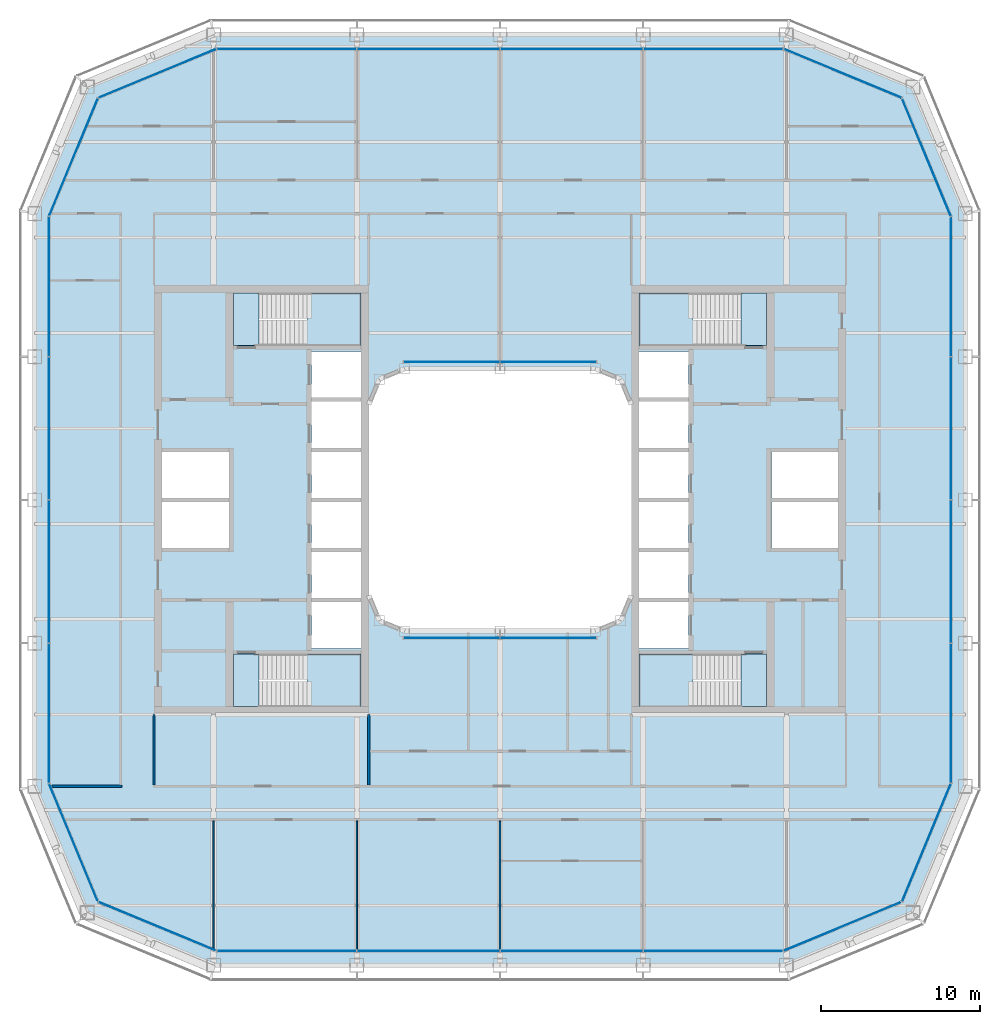
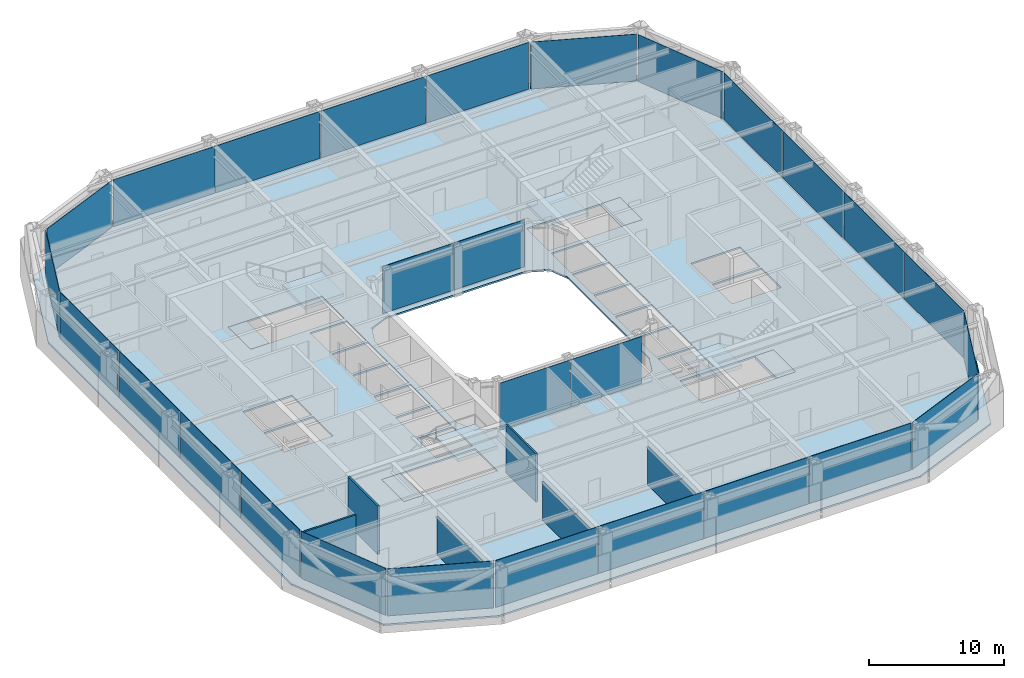
# One storey, part 10 of 21: 28 plates, 9 slabs, 6 walls, 18 elements without a shape of their own.
"""IFC4 building model written with IfcOpenShell, lengths in metres."""

from ifc_helpers import new_model, si_unit, direction, frame, frame_2d, origin, origin_2d, place, context, subcontext, project, spatial, polyline, rectangle, outline, extrude, material, layer, layer_set, type_object, element, aggregate, save


model = new_model("IFC4")

# Units and contexts
model_context = context("Model", 3, precision=1e-05, world=origin(), true_north=direction((0.0, 1.0)))
body_context = subcontext(model_context, "Body", "Model", "MODEL_VIEW")
ifc_project = project(units=[si_unit("LENGTHUNIT", "METRE"), si_unit("AREAUNIT", "SQUARE_METRE"), si_unit("VOLUMEUNIT", "CUBIC_METRE"), si_unit("PLANEANGLEUNIT", "RADIAN"), si_unit("MASSUNIT", "GRAM", prefix="KILO")], contexts=[model_context])

# Site, building, storey
site_placement = place(None, origin())
site = spatial("IfcSite", under=ifc_project, at=site_placement, CompositionType="ELEMENT")
building_placement = place(site_placement, origin())
building = spatial("IfcBuilding", under=site, at=building_placement, Name="Siwar Civic Tower", CompositionType="ELEMENT")
storey_placement = place(building_placement, frame((0.0, 0.0, 158.699951171875)))
storey = spatial("IfcBuildingStorey", under=building, at=storey_placement, Name="L34", CompositionType="ELEMENT", Elevation=158.699951171875)

# Stair, slabs
ifc_material_1 = material(Name="Concrete C40/50", Category="concrete")
stair_type = type_object("IfcStairType", Name="CORE-STAIR", PredefinedType="TWO_STRAIGHT_RUN_STAIR", material=ifc_material_1)
stair_1_placement = place(storey_placement, origin())
stair_1 = element("IfcStair", 1, at=stair_1_placement, inside=storey, type_object=stair_type, Name="Exit stair ST1", PredefinedType="TWO_STRAIGHT_RUN_STAIR")
ifc_material_2 = material(Name="Concrete C40/50", Category="concrete")
ifc_layer_1 = layer(ifc_material_2, 0.300048828125)
ifc_layer_set_1 = layer_set([ifc_layer_1], Name="Concrete C40/50")
slab_type_1 = type_object("IfcSlabType", Name="CORE-STAIR-LANDING", PredefinedType="LANDING", material=ifc_layer_set_1)
slab_1_placement = place(storey_placement, frame((0.0, 0.0, -0.300048828125)))
slab_1 = element("IfcSlab", 2, at=slab_1_placement, type_object=slab_type_1, Name="ST1 landing 1", PredefinedType="LANDING", context=body_context, shape_type="SweptSolid", body=[
    extrude(outline(polyline([(-15.14990234375, 13.0), (-16.75, 13.0), (-16.75, 9.699951171875), (-15.14990234375, 9.699951171875), (-15.14990234375, 13.0)])), origin(), (0.0, 0.0, 1.0), 0.300048828125),
])
slab_2_placement = place(storey_placement, frame((0.0, 0.0, 1.949951171875)))
slab_2 = element("IfcSlab", 3, at=slab_2_placement, type_object=slab_type_1, Name="ST1 landing 2", PredefinedType="LANDING", context=body_context, shape_type="SweptSolid", body=[
    extrude(outline(polyline([(-8.75, 13.0), (-12.139892578125, 13.0), (-12.139892578125, 9.699951171875), (-8.75, 9.699951171875), (-8.75, 13.0)])), origin(), (0.0, 0.0, 1.0), 0.300048828125),
])
aggregate(stair_1, [slab_1, slab_2])

stair_2_placement = place(storey_placement, origin())
stair_2 = element("IfcStair", 4, at=stair_2_placement, inside=storey, type_object=stair_type, Name="Exit stair ST2", PredefinedType="TWO_STRAIGHT_RUN_STAIR")
slab_3_placement = place(storey_placement, frame((0.0, 0.0, -0.300048828125)))
slab_3 = element("IfcSlab", 5, at=slab_3_placement, type_object=slab_type_1, Name="ST2 landing 1", PredefinedType="LANDING", context=body_context, shape_type="SweptSolid", body=[
    extrude(outline(polyline([(-15.14990234375, -9.699951171875), (-16.75, -9.699951171875), (-16.75, -13.0), (-15.14990234375, -13.0), (-15.14990234375, -9.699951171875)])), origin(), (0.0, 0.0, 1.0), 0.300048828125),
])
slab_4_placement = place(storey_placement, frame((0.0, 0.0, 1.949951171875)))
slab_4 = element("IfcSlab", 6, at=slab_4_placement, type_object=slab_type_1, Name="ST2 landing 2", PredefinedType="LANDING", context=body_context, shape_type="SweptSolid", body=[
    extrude(outline(polyline([(-8.75, -9.699951171875), (-12.139892578125, -9.699951171875), (-12.139892578125, -13.0), (-8.75, -13.0), (-8.75, -9.699951171875)])), origin(), (0.0, 0.0, 1.0), 0.300048828125),
])
aggregate(stair_2, [slab_3, slab_4])

stair_3_placement = place(storey_placement, origin())
stair_3 = element("IfcStair", 7, at=stair_3_placement, inside=storey, type_object=stair_type, Name="Exit stair ST3", PredefinedType="TWO_STRAIGHT_RUN_STAIR")
slab_5_placement = place(storey_placement, frame((0.0, 0.0, -0.300048828125)))
slab_5 = element("IfcSlab", 8, at=slab_5_placement, type_object=slab_type_1, Name="ST3 landing 1", PredefinedType="LANDING", context=body_context, shape_type="SweptSolid", body=[
    extrude(outline(polyline([(15.14990234375, 9.699951171875), (16.75, 9.699951171875), (16.75, 13.0), (15.14990234375, 13.0), (15.14990234375, 9.699951171875)])), origin(), (0.0, 0.0, 1.0), 0.300048828125),
])
slab_6_placement = place(storey_placement, frame((0.0, 0.0, 1.949951171875)))
slab_6 = element("IfcSlab", 9, at=slab_6_placement, type_object=slab_type_1, Name="ST3 landing 2", PredefinedType="LANDING", context=body_context, shape_type="SweptSolid", body=[
    extrude(outline(polyline([(8.75, 9.699951171875), (12.139892578125, 9.699951171875), (12.139892578125, 13.0), (8.75, 13.0), (8.75, 9.699951171875)])), origin(), (0.0, 0.0, 1.0), 0.300048828125),
])
aggregate(stair_3, [slab_5, slab_6])

stair_4_placement = place(storey_placement, origin())
stair_4 = element("IfcStair", 10, at=stair_4_placement, inside=storey, type_object=stair_type, Name="Exit stair ST4", PredefinedType="TWO_STRAIGHT_RUN_STAIR")
slab_7_placement = place(storey_placement, frame((0.0, 0.0, -0.300048828125)))
slab_7 = element("IfcSlab", 11, at=slab_7_placement, type_object=slab_type_1, Name="ST4 landing 1", PredefinedType="LANDING", context=body_context, shape_type="SweptSolid", body=[
    extrude(outline(polyline([(15.14990234375, -13.0), (16.75, -13.0), (16.75, -9.699951171875), (15.14990234375, -9.699951171875), (15.14990234375, -13.0)])), origin(), (0.0, 0.0, 1.0), 0.300048828125),
])
slab_8_placement = place(storey_placement, frame((0.0, 0.0, 1.949951171875)))
slab_8 = element("IfcSlab", 12, at=slab_8_placement, type_object=slab_type_1, Name="ST4 landing 2", PredefinedType="LANDING", context=body_context, shape_type="SweptSolid", body=[
    extrude(outline(polyline([(8.75, -13.0), (12.139892578125, -13.0), (12.139892578125, -9.699951171875), (8.75, -9.699951171875), (8.75, -13.0)])), origin(), (0.0, 0.0, 1.0), 0.300048828125),
])
aggregate(stair_4, [slab_7, slab_8])

# Curtain wall, plates
ifc_material_3 = material(Name="Aluminium and glass", Category="aluminium")
ifc_layer_2 = layer(ifc_material_3, 0.199951171875)
ifc_layer_set_2 = layer_set([ifc_layer_2], Name="Aluminium and glass")
curtain_wall_type_1 = type_object("IfcCurtainWallType", Name="ENV-CW-B", PredefinedType="NOTDEFINED", material=ifc_layer_set_2)
curtain_wall_1_placement = place(storey_placement, origin())
curtain_wall_1 = element("IfcCurtainWall", 13, at=curtain_wall_1_placement, inside=storey, type_object=curtain_wall_type_1, Name="Curtain wall B S", PredefinedType="NOTDEFINED")
ifc_material_4 = material(Name="Glass clear laminated", Category="glass")
ifc_layer_3 = layer(ifc_material_4, 0.033935546875)
ifc_layer_set_3 = layer_set([ifc_layer_3], Name="Glass clear laminated")
plate_type_1 = type_object("IfcPlateType", Name="ENV-PANEL-B", PredefinedType="CURTAIN_PANEL", material=ifc_layer_set_3)
plate_1_placement = place(storey_placement, frame((-13.410400390625, -28.35009765625, 0.10986328125), z_axis=(0.0, 0.0, 1.0), x_axis=(1.0, 0.0, 0.0)))
plate_1 = element("IfcPlate", 14, at=plate_1_placement, type_object=plate_type_1, Name="Curtain panel B S 1", PredefinedType="CURTAIN_PANEL", context=body_context, shape_type="SweptSolid", body=[
    extrude(rectangle(XDim=8.755859375, YDim=0.033935546875, at=origin_2d()), origin(), (0.0, 0.0, 1.0), 4.239990234375),
])
plate_2_placement = place(storey_placement, frame((-4.5, -28.35009765625, 0.10986328125), z_axis=(0.0, 0.0, 1.0), x_axis=(1.0, 0.0, 0.0)))
plate_2 = element("IfcPlate", 15, at=plate_2_placement, type_object=plate_type_1, Name="Curtain panel B S 2", PredefinedType="CURTAIN_PANEL", context=body_context, shape_type="SweptSolid", body=[
    extrude(rectangle(XDim=8.93505859375, YDim=0.033935546875, at=origin_2d()), origin(), (0.0, 0.0, 1.0), 4.239990234375),
])
plate_3_placement = place(storey_placement, frame((4.5, -28.35009765625, 0.10986328125), z_axis=(0.0, 0.0, 1.0), x_axis=(1.0, 0.0, 0.0)))
plate_3 = element("IfcPlate", 16, at=plate_3_placement, type_object=plate_type_1, Name="Curtain panel B S 3", PredefinedType="CURTAIN_PANEL", context=body_context, shape_type="SweptSolid", body=[
    extrude(rectangle(XDim=8.93505859375, YDim=0.033935546875, at=origin_2d()), origin(), (0.0, 0.0, 1.0), 4.239990234375),
])
plate_4_placement = place(storey_placement, frame((13.369873046875, -28.35009765625, 0.10986328125), z_axis=(0.0, 0.0, 1.0), x_axis=(1.0, 0.0, 0.0)))
plate_4 = element("IfcPlate", 17, at=plate_4_placement, type_object=plate_type_1, Name="Curtain panel B S 4", PredefinedType="CURTAIN_PANEL", context=body_context, shape_type="SweptSolid", body=[
    extrude(rectangle(XDim=8.6748046875, YDim=0.033935546875, at=origin_2d()), origin(), (0.0, 0.0, 1.0), 4.239990234375),
])
aggregate(curtain_wall_1, [plate_1, plate_2, plate_3, plate_4])

curtain_wall_2_placement = place(storey_placement, origin())
curtain_wall_2 = element("IfcCurtainWall", 18, at=curtain_wall_2_placement, inside=storey, type_object=curtain_wall_type_1, Name="Curtain wall B E", PredefinedType="NOTDEFINED")
plate_5_placement = place(storey_placement, frame((28.35009765625, -13.410400390625, 0.10986328125), z_axis=(0.0, 0.0, 1.0), x_axis=(0.0, 1.0, 0.0)))
plate_5 = element("IfcPlate", 19, at=plate_5_placement, type_object=plate_type_1, Name="Curtain panel B E 1", PredefinedType="CURTAIN_PANEL", context=body_context, shape_type="SweptSolid", body=[
    extrude(rectangle(XDim=8.755859375, YDim=0.033935546875, at=origin_2d()), origin(), (0.0, 0.0, 1.0), 4.239990234375),
])
plate_6_placement = place(storey_placement, frame((28.35009765625, -4.5, 0.10986328125), z_axis=(0.0, 0.0, 1.0), x_axis=(0.0, 1.0, 0.0)))
plate_6 = element("IfcPlate", 20, at=plate_6_placement, type_object=plate_type_1, Name="Curtain panel B E 2", PredefinedType="CURTAIN_PANEL", context=body_context, shape_type="SweptSolid", body=[
    extrude(rectangle(XDim=8.93505859375, YDim=0.033935546875, at=origin_2d()), origin(), (0.0, 0.0, 1.0), 4.239990234375),
])
plate_7_placement = place(storey_placement, frame((28.35009765625, 4.5, 0.10986328125), z_axis=(0.0, 0.0, 1.0), x_axis=(0.0, 1.0, 0.0)))
plate_7 = element("IfcPlate", 21, at=plate_7_placement, type_object=plate_type_1, Name="Curtain panel B E 3", PredefinedType="CURTAIN_PANEL", context=body_context, shape_type="SweptSolid", body=[
    extrude(rectangle(XDim=8.93505859375, YDim=0.033935546875, at=origin_2d()), origin(), (0.0, 0.0, 1.0), 4.239990234375),
])
plate_8_placement = place(storey_placement, frame((28.35009765625, 13.369873046875, 0.10986328125), z_axis=(0.0, 0.0, 1.0), x_axis=(0.0, 1.0, 0.0)))
plate_8 = element("IfcPlate", 22, at=plate_8_placement, type_object=plate_type_1, Name="Curtain panel B E 4", PredefinedType="CURTAIN_PANEL", context=body_context, shape_type="SweptSolid", body=[
    extrude(rectangle(XDim=8.6748046875, YDim=0.033935546875, at=origin_2d()), origin(), (0.0, 0.0, 1.0), 4.239990234375),
])
aggregate(curtain_wall_2, [plate_5, plate_6, plate_7, plate_8])

curtain_wall_3_placement = place(storey_placement, origin())
curtain_wall_3 = element("IfcCurtainWall", 23, at=curtain_wall_3_placement, inside=storey, type_object=curtain_wall_type_1, Name="Curtain wall B N", PredefinedType="NOTDEFINED")
plate_9_placement = place(storey_placement, frame((13.410400390625, 28.35009765625, 0.10986328125), z_axis=(0.0, 0.0, 1.0), x_axis=(-1.0, 0.0, 0.0)))
plate_9 = element("IfcPlate", 24, at=plate_9_placement, type_object=plate_type_1, Name="Curtain panel B N 1", PredefinedType="CURTAIN_PANEL", context=body_context, shape_type="SweptSolid", body=[
    extrude(rectangle(XDim=8.755859375, YDim=0.033935546875, at=origin_2d()), origin(), (0.0, 0.0, 1.0), 4.239990234375),
])
plate_10_placement = place(storey_placement, frame((4.5, 28.35009765625, 0.10986328125), z_axis=(0.0, 0.0, 1.0), x_axis=(-1.0, 0.0, 0.0)))
plate_10 = element("IfcPlate", 25, at=plate_10_placement, type_object=plate_type_1, Name="Curtain panel B N 2", PredefinedType="CURTAIN_PANEL", context=body_context, shape_type="SweptSolid", body=[
    extrude(rectangle(XDim=8.93505859375, YDim=0.033935546875, at=origin_2d()), origin(), (0.0, 0.0, 1.0), 4.239990234375),
])
plate_11_placement = place(storey_placement, frame((-4.5, 28.35009765625, 0.10986328125), z_axis=(0.0, 0.0, 1.0), x_axis=(-1.0, 0.0, 0.0)))
plate_11 = element("IfcPlate", 26, at=plate_11_placement, type_object=plate_type_1, Name="Curtain panel B N 3", PredefinedType="CURTAIN_PANEL", context=body_context, shape_type="SweptSolid", body=[
    extrude(rectangle(XDim=8.93505859375, YDim=0.033935546875, at=origin_2d()), origin(), (0.0, 0.0, 1.0), 4.239990234375),
])
plate_12_placement = place(storey_placement, frame((-13.369873046875, 28.35009765625, 0.10986328125), z_axis=(0.0, 0.0, 1.0), x_axis=(-1.0, 0.0, 0.0)))
plate_12 = element("IfcPlate", 27, at=plate_12_placement, type_object=plate_type_1, Name="Curtain panel B N 4", PredefinedType="CURTAIN_PANEL", context=body_context, shape_type="SweptSolid", body=[
    extrude(rectangle(XDim=8.6748046875, YDim=0.033935546875, at=origin_2d()), origin(), (0.0, 0.0, 1.0), 4.239990234375),
])
aggregate(curtain_wall_3, [plate_9, plate_10, plate_11, plate_12])

curtain_wall_4_placement = place(storey_placement, origin())
curtain_wall_4 = element("IfcCurtainWall", 28, at=curtain_wall_4_placement, inside=storey, type_object=curtain_wall_type_1, Name="Curtain wall B W", PredefinedType="NOTDEFINED")
plate_13_placement = place(storey_placement, frame((-28.35009765625, 13.410400390625, 0.10986328125), z_axis=(0.0, 0.0, 1.0), x_axis=(0.0, -1.0, 0.0)))
plate_13 = element("IfcPlate", 29, at=plate_13_placement, type_object=plate_type_1, Name="Curtain panel B W 1", PredefinedType="CURTAIN_PANEL", context=body_context, shape_type="SweptSolid", body=[
    extrude(rectangle(XDim=8.755859375, YDim=0.033935546875, at=origin_2d()), origin(), (0.0, 0.0, 1.0), 4.239990234375),
])
plate_14_placement = place(storey_placement, frame((-28.35009765625, 4.5, 0.10986328125), z_axis=(0.0, 0.0, 1.0), x_axis=(0.0, -1.0, 0.0)))
plate_14 = element("IfcPlate", 30, at=plate_14_placement, type_object=plate_type_1, Name="Curtain panel B W 2", PredefinedType="CURTAIN_PANEL", context=body_context, shape_type="SweptSolid", body=[
    extrude(rectangle(XDim=8.93505859375, YDim=0.033935546875, at=origin_2d()), origin(), (0.0, 0.0, 1.0), 4.239990234375),
])
plate_15_placement = place(storey_placement, frame((-28.35009765625, -4.5, 0.10986328125), z_axis=(0.0, 0.0, 1.0), x_axis=(0.0, -1.0, 0.0)))
plate_15 = element("IfcPlate", 31, at=plate_15_placement, type_object=plate_type_1, Name="Curtain panel B W 3", PredefinedType="CURTAIN_PANEL", context=body_context, shape_type="SweptSolid", body=[
    extrude(rectangle(XDim=8.93505859375, YDim=0.033935546875, at=origin_2d()), origin(), (0.0, 0.0, 1.0), 4.239990234375),
])
plate_16_placement = place(storey_placement, frame((-28.35009765625, -13.369873046875, 0.10986328125), z_axis=(0.0, 0.0, 1.0), x_axis=(0.0, -1.0, 0.0)))
plate_16 = element("IfcPlate", 32, at=plate_16_placement, type_object=plate_type_1, Name="Curtain panel B W 4", PredefinedType="CURTAIN_PANEL", context=body_context, shape_type="SweptSolid", body=[
    extrude(rectangle(XDim=8.6748046875, YDim=0.033935546875, at=origin_2d()), origin(), (0.0, 0.0, 1.0), 4.239990234375),
])
aggregate(curtain_wall_4, [plate_13, plate_14, plate_15, plate_16])

# Curtain wall, plate
ifc_material_5 = material(Name="Aluminium clad insulated panel", Category="aluminium")
ifc_layer_4 = layer(ifc_material_5, 0.199951171875)
ifc_layer_set_4 = layer_set([ifc_layer_4], Name="Aluminium clad insulated panel")
curtain_wall_type_2 = type_object("IfcCurtainWallType", Name="ENV-CW-BX", PredefinedType="NOTDEFINED", material=ifc_layer_set_4)
curtain_wall_5_placement = place(storey_placement, origin())
curtain_wall_5 = element("IfcCurtainWall", 33, at=curtain_wall_5_placement, inside=storey, type_object=curtain_wall_type_2, Name="Curtain wall B SE1", PredefinedType="NOTDEFINED")
ifc_material_6 = material(Name="Aluminium clad insulated panel", Category="aluminium")
ifc_layer_5 = layer(ifc_material_6, 0.033935546875)
ifc_layer_set_5 = layer_set([ifc_layer_5], Name="Aluminium clad insulated panel")
plate_type_2 = type_object("IfcPlateType", Name="ENV-PANEL-BX", PredefinedType="CURTAIN_PANEL", material=ifc_layer_set_5)
plate_17_placement = place(storey_placement, frame((21.506103515625, -26.823486328125, 0.10986328125), z_axis=(0.0, 0.0, 1.0), x_axis=(0.923879532511, 0.382683432365, 0.0)))
plate_17 = element("IfcPlate", 34, at=plate_17_placement, type_object=plate_type_2, Name="Curtain panel B SE1 1", PredefinedType="CURTAIN_PANEL", context=body_context, shape_type="SweptSolid", body=[
    extrude(rectangle(XDim=7.912353515625, YDim=0.033935546875, at=origin_2d()), origin(), (0.0, 0.0, 1.0), 4.239990234375),
])
aggregate(curtain_wall_5, [plate_17])

curtain_wall_6_placement = place(storey_placement, origin())
curtain_wall_6 = element("IfcCurtainWall", 35, at=curtain_wall_6_placement, inside=storey, type_object=curtain_wall_type_2, Name="Curtain wall B SE2", PredefinedType="NOTDEFINED")
plate_18_placement = place(storey_placement, frame((26.79248046875, -21.5810546875, 0.10986328125), z_axis=(0.0, 0.0, 1.0), x_axis=(0.382683432365, 0.923879532511, 0.0)))
plate_18 = element("IfcPlate", 36, at=plate_18_placement, type_object=plate_type_2, Name="Curtain panel B SE2 1", PredefinedType="CURTAIN_PANEL", context=body_context, shape_type="SweptSolid", body=[
    extrude(rectangle(XDim=7.912353515625, YDim=0.033935546875, at=origin_2d()), origin(), (0.0, 0.0, 1.0), 4.239990234375),
])
aggregate(curtain_wall_6, [plate_18])

curtain_wall_7_placement = place(storey_placement, origin())
curtain_wall_7 = element("IfcCurtainWall", 37, at=curtain_wall_7_placement, inside=storey, type_object=curtain_wall_type_2, Name="Curtain wall B NE1", PredefinedType="NOTDEFINED")
plate_19_placement = place(storey_placement, frame((26.823486328125, 21.506103515625, 0.10986328125), z_axis=(0.0, 0.0, 1.0), x_axis=(-0.382683432365, 0.923879532511, 0.0)))
plate_19 = element("IfcPlate", 38, at=plate_19_placement, type_object=plate_type_2, Name="Curtain panel B NE1 1", PredefinedType="CURTAIN_PANEL", context=body_context, shape_type="SweptSolid", body=[
    extrude(rectangle(XDim=7.912353515625, YDim=0.033935546875, at=origin_2d()), origin(), (0.0, 0.0, 1.0), 4.239990234375),
])
aggregate(curtain_wall_7, [plate_19])

curtain_wall_8_placement = place(storey_placement, origin())
curtain_wall_8 = element("IfcCurtainWall", 39, at=curtain_wall_8_placement, inside=storey, type_object=curtain_wall_type_2, Name="Curtain wall B NE2", PredefinedType="NOTDEFINED")
plate_20_placement = place(storey_placement, frame((21.5810546875, 26.79248046875, 0.10986328125), z_axis=(0.0, 0.0, 1.0), x_axis=(-0.923879532511, 0.382683432365, 0.0)))
plate_20 = element("IfcPlate", 40, at=plate_20_placement, type_object=plate_type_2, Name="Curtain panel B NE2 1", PredefinedType="CURTAIN_PANEL", context=body_context, shape_type="SweptSolid", body=[
    extrude(rectangle(XDim=7.912353515625, YDim=0.033935546875, at=origin_2d()), origin(), (0.0, 0.0, 1.0), 4.239990234375),
])
aggregate(curtain_wall_8, [plate_20])

curtain_wall_9_placement = place(storey_placement, origin())
curtain_wall_9 = element("IfcCurtainWall", 41, at=curtain_wall_9_placement, inside=storey, type_object=curtain_wall_type_2, Name="Curtain wall B NW1", PredefinedType="NOTDEFINED")
plate_21_placement = place(storey_placement, frame((-21.506103515625, 26.823486328125, 0.10986328125), z_axis=(0.0, 0.0, 1.0), x_axis=(-0.923879532511, -0.382683432365, 0.0)))
plate_21 = element("IfcPlate", 42, at=plate_21_placement, type_object=plate_type_2, Name="Curtain panel B NW1 1", PredefinedType="CURTAIN_PANEL", context=body_context, shape_type="SweptSolid", body=[
    extrude(rectangle(XDim=7.912353515625, YDim=0.033935546875, at=origin_2d()), origin(), (0.0, 0.0, 1.0), 4.239990234375),
])
aggregate(curtain_wall_9, [plate_21])

curtain_wall_10_placement = place(storey_placement, origin())
curtain_wall_10 = element("IfcCurtainWall", 43, at=curtain_wall_10_placement, inside=storey, type_object=curtain_wall_type_2, Name="Curtain wall B NW2", PredefinedType="NOTDEFINED")
plate_22_placement = place(storey_placement, frame((-26.79248046875, 21.5810546875, 0.10986328125), z_axis=(0.0, 0.0, 1.0), x_axis=(-0.382683432365, -0.923879532511, 0.0)))
plate_22 = element("IfcPlate", 44, at=plate_22_placement, type_object=plate_type_2, Name="Curtain panel B NW2 1", PredefinedType="CURTAIN_PANEL", context=body_context, shape_type="SweptSolid", body=[
    extrude(rectangle(XDim=7.912353515625, YDim=0.033935546875, at=origin_2d()), origin(), (0.0, 0.0, 1.0), 4.239990234375),
])
aggregate(curtain_wall_10, [plate_22])

curtain_wall_11_placement = place(storey_placement, origin())
curtain_wall_11 = element("IfcCurtainWall", 45, at=curtain_wall_11_placement, inside=storey, type_object=curtain_wall_type_2, Name="Curtain wall B SW1", PredefinedType="NOTDEFINED")
plate_23_placement = place(storey_placement, frame((-26.823486328125, -21.506103515625, 0.10986328125), z_axis=(0.0, 0.0, 1.0), x_axis=(0.382683432365, -0.923879532511, 0.0)))
plate_23 = element("IfcPlate", 46, at=plate_23_placement, type_object=plate_type_2, Name="Curtain panel B SW1 1", PredefinedType="CURTAIN_PANEL", context=body_context, shape_type="SweptSolid", body=[
    extrude(rectangle(XDim=7.912353515625, YDim=0.033935546875, at=origin_2d()), origin(), (0.0, 0.0, 1.0), 4.239990234375),
])
aggregate(curtain_wall_11, [plate_23])

curtain_wall_12_placement = place(storey_placement, origin())
curtain_wall_12 = element("IfcCurtainWall", 47, at=curtain_wall_12_placement, inside=storey, type_object=curtain_wall_type_2, Name="Curtain wall B SW2", PredefinedType="NOTDEFINED")
plate_24_placement = place(storey_placement, frame((-21.5810546875, -26.79248046875, 0.10986328125), z_axis=(0.0, 0.0, 1.0), x_axis=(0.923879532511, -0.382683432365, 0.0)))
plate_24 = element("IfcPlate", 48, at=plate_24_placement, type_object=plate_type_2, Name="Curtain panel B SW2 1", PredefinedType="CURTAIN_PANEL", context=body_context, shape_type="SweptSolid", body=[
    extrude(rectangle(XDim=7.912353515625, YDim=0.033935546875, at=origin_2d()), origin(), (0.0, 0.0, 1.0), 4.239990234375),
])
aggregate(curtain_wall_12, [plate_24])

# Curtain wall, plates
ifc_material_7 = material(Name="Aluminium and glass", Category="aluminium")
ifc_layer_6 = layer(ifc_material_7, 0.179931640625)
ifc_layer_set_6 = layer_set([ifc_layer_6], Name="Aluminium and glass")
curtain_wall_type_3 = type_object("IfcCurtainWallType", Name="ENV-CW-W", PredefinedType="NOTDEFINED", material=ifc_layer_set_6)
curtain_wall_13_placement = place(storey_placement, origin())
curtain_wall_13 = element("IfcCurtainWall", 49, at=curtain_wall_13_placement, inside=storey, type_object=curtain_wall_type_3, Name="Curtain wall W WS", PredefinedType="NOTDEFINED")
ifc_material_8 = material(Name="Glass clear laminated", Category="glass")
ifc_layer_7 = layer(ifc_material_8, 0.031982421875)
ifc_layer_set_7 = layer_set([ifc_layer_7], Name="Glass clear laminated")
plate_type_3 = type_object("IfcPlateType", Name="ENV-PANEL-W", PredefinedType="CURTAIN_PANEL", material=ifc_layer_set_7)
plate_25_placement = place(storey_placement, frame((-3.043212890625, -8.68505859375, 0.10009765625), z_axis=(0.0, 0.0, 1.0), x_axis=(1.0, 0.0, 0.0)))
plate_25 = element("IfcPlate", 50, at=plate_25_placement, type_object=plate_type_3, Name="Curtain panel W WS 1", PredefinedType="CURTAIN_PANEL", context=body_context, shape_type="SweptSolid", body=[
    extrude(rectangle(XDim=6.026611328125, YDim=0.031982421875, at=origin_2d()), origin(), (0.0, 0.0, 1.0), 4.25),
])
plate_26_placement = place(storey_placement, frame((3.043212890625, -8.68505859375, 0.10009765625), z_axis=(0.0, 0.0, 1.0), x_axis=(1.0, 0.0, 0.0)))
plate_26 = element("IfcPlate", 51, at=plate_26_placement, type_object=plate_type_3, Name="Curtain panel W WS 2", PredefinedType="CURTAIN_PANEL", context=body_context, shape_type="SweptSolid", body=[
    extrude(rectangle(XDim=6.026611328125, YDim=0.031982421875, at=origin_2d()), origin(), (0.0, 0.0, 1.0), 4.25),
])
aggregate(curtain_wall_13, [plate_25, plate_26])

curtain_wall_14_placement = place(storey_placement, origin())
curtain_wall_14 = element("IfcCurtainWall", 52, at=curtain_wall_14_placement, inside=storey, type_object=curtain_wall_type_3, Name="Curtain wall W WN", PredefinedType="NOTDEFINED")
plate_27_placement = place(storey_placement, frame((3.043212890625, 8.68505859375, 0.10009765625), z_axis=(0.0, 0.0, 1.0), x_axis=(-1.0, 0.0, 0.0)))
plate_27 = element("IfcPlate", 53, at=plate_27_placement, type_object=plate_type_3, Name="Curtain panel W WN 1", PredefinedType="CURTAIN_PANEL", context=body_context, shape_type="SweptSolid", body=[
    extrude(rectangle(XDim=6.026611328125, YDim=0.031982421875, at=origin_2d()), origin(), (0.0, 0.0, 1.0), 4.25),
])
plate_28_placement = place(storey_placement, frame((-3.043212890625, 8.68505859375, 0.10009765625), z_axis=(0.0, 0.0, 1.0), x_axis=(-1.0, 0.0, 0.0)))
plate_28 = element("IfcPlate", 54, at=plate_28_placement, type_object=plate_type_3, Name="Curtain panel W WN 2", PredefinedType="CURTAIN_PANEL", context=body_context, shape_type="SweptSolid", body=[
    extrude(rectangle(XDim=6.026611328125, YDim=0.031982421875, at=origin_2d()), origin(), (0.0, 0.0, 1.0), 4.25),
])
aggregate(curtain_wall_14, [plate_27, plate_28])

# Slab
ifc_material_9 = material(Name="Concrete C40/50", Category="concrete")
ifc_layer_8 = layer(ifc_material_9, 0.14990234375)
ifc_layer_set_8 = layer_set([ifc_layer_8], Name="Concrete C40/50")
slab_type_2 = type_object("IfcSlabType", Name="STR-FLOOR-DECK-150", PredefinedType="FLOOR", material=ifc_layer_set_8)
slab_9_placement = place(storey_placement, frame((0.0, 0.0, -0.14990234375)))
element("IfcSlab", 55, at=slab_9_placement, inside=storey, type_object=slab_type_2, Name="L34/slab/1", PredefinedType="FLOOR", context=body_context, shape_type="SweptSolid", body=[
    extrude(outline(polyline([(-18.0, -29.25), (18.0, -29.25), (25.954833984375, -25.954833984375), (29.25, -18.0), (29.25, 18.0), (25.954833984375, 25.954833984375), (18.0, 29.25), (-18.0, 29.25), (-25.954833984375, 25.954833984375), (-29.25, 18.0), (-29.25, -18.0), (-25.954833984375, -25.954833984375), (-18.0, -29.25)]), holes=[polyline([(21.25, 3.02490234375), (21.25, 0.125), (17.050048828125, 0.125), (17.050048828125, 3.02490234375), (21.25, 3.02490234375)]), polyline([(17.050048828125, -0.125), (21.25, -0.125), (21.25, -3.02490234375), (17.050048828125, -3.02490234375), (17.050048828125, -0.125)]), polyline([(16.75, 13.0), (16.75, 9.699951171875), (8.75, 9.699951171875), (8.75, 13.0), (16.75, 13.0)]), polyline([(8.75, -9.699951171875), (16.75, -9.699951171875), (16.75, -13.0), (8.75, -13.0), (8.75, -9.699951171875)]), polyline([(11.85009765625, 9.324951171875), (11.85009765625, 6.425048828125), (8.75, 6.425048828125), (8.75, 9.324951171875), (11.85009765625, 9.324951171875)]), polyline([(11.85009765625, 3.02490234375), (11.85009765625, 0.125), (8.75, 0.125), (8.75, 3.02490234375), (11.85009765625, 3.02490234375)]), polyline([(11.85009765625, -0.125), (11.85009765625, -3.02490234375), (8.75, -3.02490234375), (8.75, -0.125), (11.85009765625, -0.125)]), polyline([(11.85009765625, -3.27490234375), (11.85009765625, -6.175048828125), (8.75, -6.175048828125), (8.75, -3.27490234375), (11.85009765625, -3.27490234375)]), polyline([(8.75, 6.175048828125), (11.85009765625, 6.175048828125), (11.85009765625, 3.27490234375), (8.75, 3.27490234375), (8.75, 6.175048828125)]), polyline([(8.75, -6.425048828125), (11.85009765625, -6.425048828125), (11.85009765625, -9.324951171875), (8.75, -9.324951171875), (8.75, -6.425048828125)]), polyline([(-6.0, 8.25), (6.0, 8.25), (7.591064453125, 7.591064453125), (8.25, 6.0), (8.25, -6.0), (7.591064453125, -7.591064453125), (6.0, -8.25), (-6.0, -8.25), (-7.591064453125, -7.591064453125), (-8.25, -6.0), (-8.25, 6.0), (-7.591064453125, 7.591064453125), (-6.0, 8.25)]), polyline([(-8.75, 9.699951171875), (-16.75, 9.699951171875), (-16.75, 13.0), (-8.75, 13.0), (-8.75, 9.699951171875)]), polyline([(-8.75, 0.125), (-11.85009765625, 0.125), (-11.85009765625, 3.02490234375), (-8.75, 3.02490234375), (-8.75, 0.125)]), polyline([(-8.75, -6.175048828125), (-11.85009765625, -6.175048828125), (-11.85009765625, -3.27490234375), (-8.75, -3.27490234375), (-8.75, -6.175048828125)]), polyline([(-8.75, -9.324951171875), (-11.85009765625, -9.324951171875), (-11.85009765625, -6.425048828125), (-8.75, -6.425048828125), (-8.75, -9.324951171875)]), polyline([(-8.75, -13.0), (-16.75, -13.0), (-16.75, -9.699951171875), (-8.75, -9.699951171875), (-8.75, -13.0)]), polyline([(-11.85009765625, 6.425048828125), (-11.85009765625, 9.324951171875), (-8.75, 9.324951171875), (-8.75, 6.425048828125), (-11.85009765625, 6.425048828125)]), polyline([(-11.85009765625, 3.27490234375), (-11.85009765625, 6.175048828125), (-8.75, 6.175048828125), (-8.75, 3.27490234375), (-11.85009765625, 3.27490234375)]), polyline([(-11.85009765625, -3.02490234375), (-11.85009765625, -0.125), (-8.75, -0.125), (-8.75, -3.02490234375), (-11.85009765625, -3.02490234375)]), polyline([(-21.25, -3.02490234375), (-21.25, -0.125), (-17.050048828125, -0.125), (-17.050048828125, -3.02490234375), (-21.25, -3.02490234375)]), polyline([(-17.050048828125, 0.125), (-21.25, 0.125), (-21.25, 3.02490234375), (-17.050048828125, 3.02490234375), (-17.050048828125, 0.125)])]), origin(), (0.0, 0.0, 1.0), 0.14990234375),
])

# Walls
ifc_material_10 = material(Name="Gypsum board on steel studs", Category="steel")
ifc_layer_9 = layer(ifc_material_10, 0.14990234375)
ifc_layer_set_9 = layer_set([ifc_layer_9], Name="Gypsum board on steel studs")
wall_type_1 = type_object("IfcWallType", Name="CORRIDOR PARTITION 150 EI 30", PredefinedType="PARTITIONING", material=ifc_layer_set_9)
wall_1_placement = place(storey_placement, frame((-28.177978515625, -18.0, 0.0), z_axis=(0.0, 0.0, 1.0), x_axis=(1.0, 0.0, 0.0)))
element("IfcWall", 56, at=wall_1_placement, inside=storey, type_object=wall_type_1, Name="L34/wall/P03", PredefinedType="PARTITIONING", context=body_context, shape_type="SweptSolid", body=[
    extrude(rectangle(XDim=4.403076171875, YDim=0.14990234375, at=frame_2d((2.20166015625, 0.0))), origin(), (0.0, 0.0, 1.0), 4.35009765625),
])
for number, where, z_axis, x_axis, name in (
    (57, (-21.75, -17.925048828125, 0.0), (0.0, 0.0, 1.0), (0.0, 1.0, 0.0), "L34/wall/P19"),
    (58, (-8.25, -17.925048828125, 0.0), (0.0, 0.0, 1.0), (0.0, 1.0, 0.0), "L34/wall/P25"),
):
    element("IfcWall", number, at=place(storey_placement, frame(where, z_axis=z_axis, x_axis=x_axis)), inside=storey, type_object=wall_type_1, Name=name, PredefinedType="PARTITIONING", context=body_context, shape_type="SweptSolid", body=[
        extrude(rectangle(XDim=4.425048828125, YDim=0.14990234375, at=frame_2d((2.21240234375, 0.0))), origin(), (0.0, 0.0, 1.0), 4.35009765625),
    ])
ifc_material_11 = material(Name="Gypsum board on steel studs", Category="steel")
ifc_layer_10 = layer(ifc_material_11, 0.10009765625)
ifc_layer_set_10 = layer_set([ifc_layer_10], Name="Gypsum board on steel studs")
wall_type_2 = type_object("IfcWallType", Name="PARTITION 100 GYPSUM", PredefinedType="PARTITIONING", material=ifc_layer_set_10)
wall_2_placement = place(storey_placement, frame((-18.0, -28.177978515625, 0.0), z_axis=(0.0, 0.0, 1.0), x_axis=(0.0, 1.0, 0.0)))
element("IfcWall", 59, at=wall_2_placement, inside=storey, type_object=wall_type_2, Name="L34/wall/P21", PredefinedType="PARTITIONING", context=body_context, shape_type="SweptSolid", body=[
    extrude(rectangle(XDim=8.0029296875, YDim=0.10009765625, at=frame_2d((4.00146484375, 0.0))), origin(), (0.0, 0.0, 1.0), 3.449951171875),
])
for number, where, z_axis, x_axis, name in (
    (60, (-9.0, -28.260009765625, 0.0), (0.0, 0.0, 1.0), (0.0, 1.0, 0.0), "L34/wall/P23"),
    (61, (0.0, -28.260009765625, 0.0), (0.0, 0.0, 1.0), (0.0, 1.0, 0.0), "L34/wall/P28"),
):
    element("IfcWall", number, at=place(storey_placement, frame(where, z_axis=z_axis, x_axis=x_axis)), inside=storey, type_object=wall_type_2, Name=name, PredefinedType="PARTITIONING", context=body_context, shape_type="SweptSolid", body=[
        extrude(rectangle(XDim=8.0849609375, YDim=0.10009765625, at=frame_2d((4.04248046875, 0.0))), origin(), (0.0, 0.0, 1.0), 3.449951171875),
    ])

save(model, "model.ifc")
